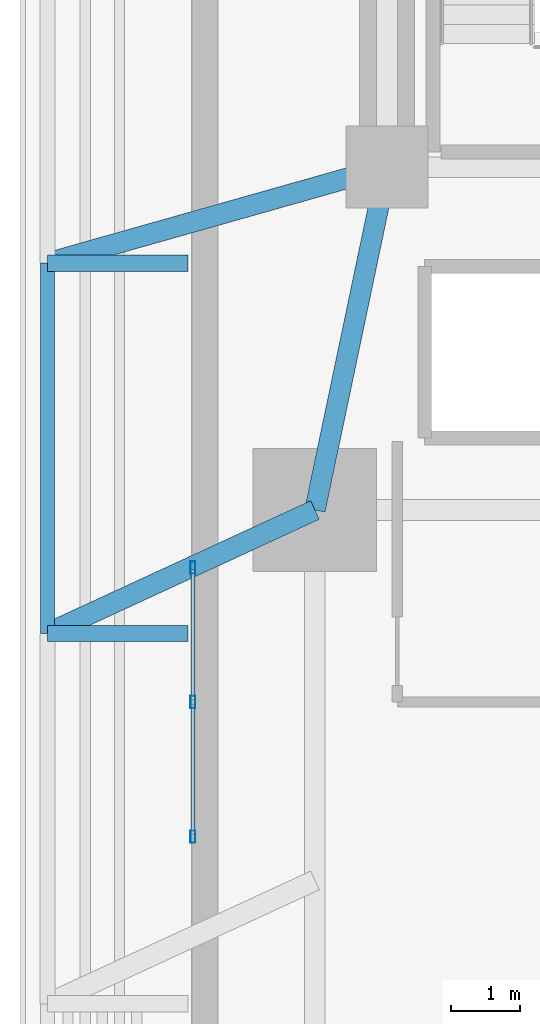
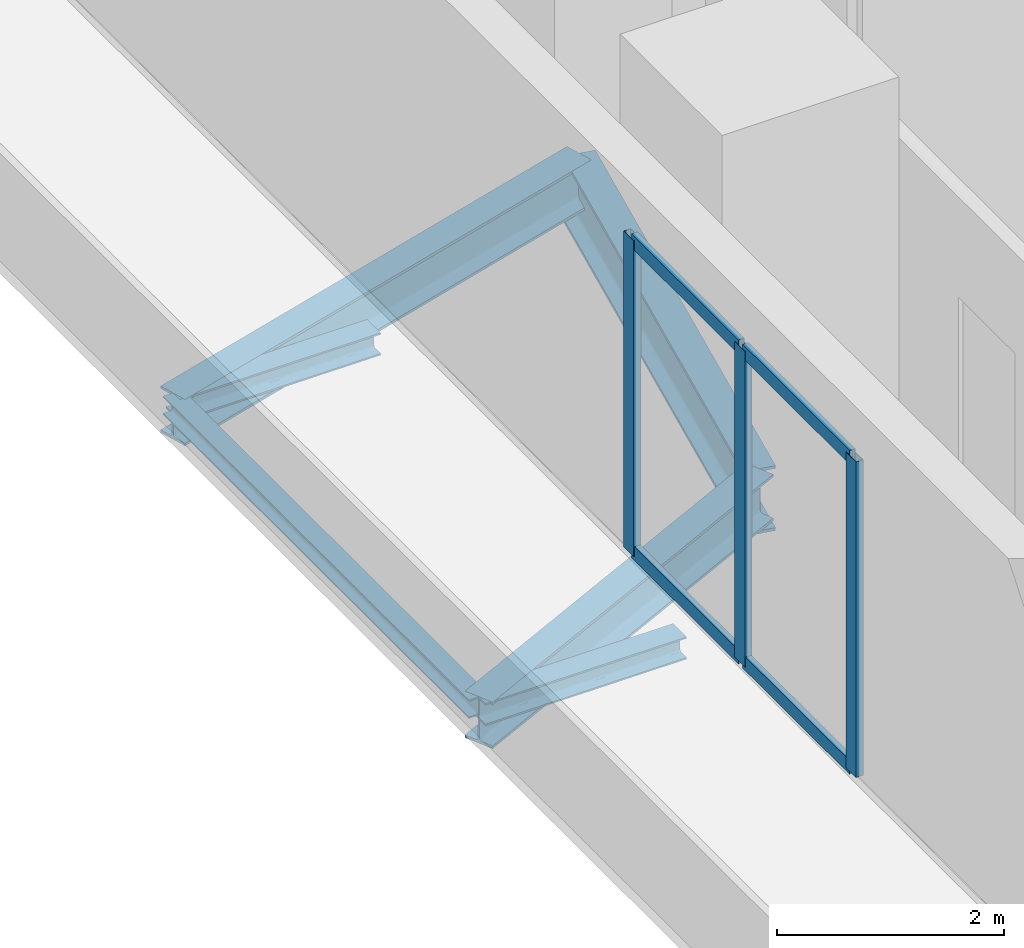
# One storey, part 4 of 13: 7 members, 6 beams, 1 element without a shape of its own.
"""IFC4 building model written with IfcOpenShell, lengths in metres."""

from ifc_helpers import new_model, si_unit, direction, frame, origin, origin_2d, place, context, subcontext, project, spatial, hollow_rectangle, i_section, extrude, material, material_profile, profile_set, type_object, element, aggregate, save


model = new_model("IFC4")

# Units and contexts
model_context = context("Model", 3, precision=1e-05, world=origin(), true_north=direction((0.0, 1.0)))
body_context = subcontext(model_context, "Body", "Model", "MODEL_VIEW")
ifc_project = project(units=[si_unit("LENGTHUNIT", "METRE"), si_unit("AREAUNIT", "SQUARE_METRE"), si_unit("VOLUMEUNIT", "CUBIC_METRE"), si_unit("PLANEANGLEUNIT", "RADIAN"), si_unit("MASSUNIT", "GRAM", prefix="KILO")], contexts=[model_context])

# Site, building, storey
site_placement = place(None, origin())
site = spatial("IfcSite", under=ifc_project, at=site_placement, CompositionType="ELEMENT")
building_placement = place(site_placement, origin())
building = spatial("IfcBuilding", under=site, at=building_placement, Name="Kuzgunbayir Cultural Tower", CompositionType="ELEMENT")
storey_placement = place(building_placement, frame((0.0, 0.0, 4.60009765625)))
storey = spatial("IfcBuildingStorey", under=building, at=storey_placement, Name="L01", CompositionType="ELEMENT", Elevation=4.60009765625)

# Beams
ifc_material_1 = material(Name="Steel S355J2", Category="steel")
ifc_material_profile_1 = material_profile(ifc_material_1, i_section(OverallWidth=0.199951171875, OverallDepth=0.199951171875, WebThickness=0.009033203125, FlangeThickness=0.014892578125, FilletRadius=0.01806640625, at=origin_2d()), Name="HEB 200")
ifc_profile_set_1 = profile_set([ifc_material_profile_1], Name="Steel S355J2")
beam_type_1 = type_object("IfcBeamType", Name="BM-CAN-HEB200", PredefinedType="BEAM", material=ifc_profile_set_1)
beam_1_placement = place(storey_placement, frame((1.5, 27.0, -0.35009765625), z_axis=(0.0, 1.0, 0.0), x_axis=(-1.0, 0.0, 0.0)))
element("IfcBeam", 1, at=beam_1_placement, inside=storey, type_object=beam_type_1, Name="L01 Entrance Canopy Edge Beam 4", PredefinedType="BEAM", context=body_context, shape_type="SweptSolid", body=[
    extrude(i_section(OverallWidth=0.199951171875, OverallDepth=0.199951171875, WebThickness=0.009033203125, FlangeThickness=0.014892578125, FilletRadius=0.01806640625, at=origin_2d()), origin(), (0.0, 0.0, 1.0), 5.39990234375),
])
ifc_material_profile_2 = material_profile(ifc_material_1, i_section(OverallWidth=0.239990234375, OverallDepth=0.239990234375, WebThickness=0.010009765625, FlangeThickness=0.01708984375, FilletRadius=0.02099609375, at=origin_2d()), Name="HEB 240")
ifc_profile_set_2 = profile_set([ifc_material_profile_2], Name="Steel S355J2")
beam_type_2 = type_object("IfcBeamType", Name="BM-CAN-HEB240", PredefinedType="BEAM", material=ifc_profile_set_2)
for number, where, z_axis, x_axis, name in (
    (2, (1.5, 27.0, -0.3701171875), (1.0, 0.0, 0.0), (0.0, 1.0, 0.0), "L01 Entrance Canopy Cantilever 4"),
    (3, (1.5, 32.39990234375, -0.3701171875), (1.0, 0.0, 0.0), (0.0, 1.0, 0.0), "L01 Entrance Canopy Cantilever 5"),
):
    element("IfcBeam", number, at=place(storey_placement, frame(where, z_axis=z_axis, x_axis=x_axis)), inside=storey, type_object=beam_type_2, Name=name, PredefinedType="BEAM", context=body_context, shape_type="SweptSolid", body=[
        extrude(i_section(OverallWidth=0.239990234375, OverallDepth=0.239990234375, WebThickness=0.010009765625, FlangeThickness=0.01708984375, FilletRadius=0.02099609375, at=origin_2d()), origin(), (0.0, 0.0, 1.0), 2.050048828125),
    ])
ifc_material_profile_3 = material_profile(ifc_material_1, i_section(OverallWidth=0.300048828125, OverallDepth=0.5, WebThickness=0.014404296875, FlangeThickness=0.028076171875, FilletRadius=0.027099609375, at=origin_2d()), Name="HEB 500")
ifc_profile_set_3 = profile_set([ifc_material_profile_3], Name="Steel S355J2")
beam_type_3 = type_object("IfcBeamType", Name="BM-EXT-HEB500", PredefinedType="BEAM", material=ifc_profile_set_3)
beam_2_placement = place(storey_placement, frame((1.5, 27.0, -0.5), z_axis=(0.907951066374, 0.419076199598, 0.0), x_axis=(-0.419076199598, 0.907951066374, 0.0)))
element("IfcBeam", 4, at=beam_2_placement, inside=storey, type_object=beam_type_3, Name="L01 Colonnade Structural Tie North", PredefinedType="BEAM", context=body_context, shape_type="SweptSolid", body=[
    extrude(i_section(OverallWidth=0.300048828125, OverallDepth=0.5, WebThickness=0.014404296875, FlangeThickness=0.028076171875, FilletRadius=0.027099609375, at=origin_2d()), origin(), (0.0, 0.0, 1.0), 4.295166015625),
])
beam_3_placement = place(storey_placement, frame((1.5, 32.39990234375, -0.5), z_axis=(0.962245924197, 0.272181522825, 0.0), x_axis=(-0.272181522825, 0.962245924197, 0.0)))
element("IfcBeam", 5, at=beam_3_placement, inside=storey, type_object=beam_type_3, Name="L01 Colonnade Core Tie South", PredefinedType="BEAM", context=body_context, shape_type="SweptSolid", body=[
    extrude(i_section(OverallWidth=0.300048828125, OverallDepth=0.5, WebThickness=0.014404296875, FlangeThickness=0.028076171875, FilletRadius=0.027099609375, at=origin_2d()), origin(), (0.0, 0.0, 1.0), 5.14404296875),
])
ifc_material_profile_4 = material_profile(ifc_material_1, i_section(OverallWidth=0.300048828125, OverallDepth=0.699951171875, WebThickness=0.01708984375, FlangeThickness=0.031982421875, FilletRadius=0.027099609375, at=origin_2d()), Name="HEB 700")
ifc_profile_set_4 = profile_set([ifc_material_profile_4], Name="Steel S355J2")
beam_type_4 = type_object("IfcBeamType", Name="BM-GIR-HEB700", PredefinedType="BEAM", material=ifc_profile_set_4)
beam_4_placement = place(storey_placement, frame((5.39990234375, 28.800048828125, -0.60009765625), z_axis=(0.205526387753, 0.978651574329, 0.0), x_axis=(-0.978651574329, 0.205526387753, 0.0)))
element("IfcBeam", 6, at=beam_4_placement, inside=storey, type_object=beam_type_4, Name="L01 Podium Primary Girder 7", PredefinedType="BEAM", context=body_context, shape_type="SweptSolid", body=[
    extrude(i_section(OverallWidth=0.300048828125, OverallDepth=0.699951171875, WebThickness=0.01708984375, FlangeThickness=0.031982421875, FilletRadius=0.027099609375, at=origin_2d()), origin(), (0.0, 0.0, 1.0), 5.109130859375),
])

# Curtain wall, members
ifc_material_2 = material(Name="Anodised Aluminium Framing", Category="aluminium")
curtain_wall_type = type_object("IfcCurtainWallType", Name="CW01-POD-FOYER", PredefinedType="NOTDEFINED", material=ifc_material_2)
curtain_wall_placement = place(storey_placement, origin())
curtain_wall = element("IfcCurtainWall", 7, at=curtain_wall_placement, inside=storey, type_object=curtain_wall_type, Name="L01 Civic Foyer Curtain Wall North", PredefinedType="NOTDEFINED")
ifc_material_profile_5 = material_profile(ifc_material_2, hollow_rectangle(XDim=0.074951171875, YDim=0.179931640625, WallThickness=0.0048828125, at=origin_2d()), Name="RHS 180x75x5")
ifc_profile_set_5 = profile_set([ifc_material_profile_5], Name="Anodised Aluminium Framing")
member_type_1 = type_object("IfcMemberType", Name="MEM-CW-MULLION-180", PredefinedType="MULLION", material=ifc_profile_set_5)
member_1_placement = place(storey_placement, frame((3.6201171875, 24.03759765625, 0.0), z_axis=(0.0, 0.0, 1.0), x_axis=(-1.0, 0.0, 0.0)))
member_1 = element("IfcMember", 8, at=member_1_placement, type_object=member_type_1, Name="CW01 mullion 1", PredefinedType="MULLION", context=body_context, shape_type="SweptSolid", body=[
    extrude(hollow_rectangle(XDim=0.074951171875, YDim=0.179931640625, WallThickness=0.0048828125, at=origin_2d()), origin(), (0.0, 0.0, 1.0), 3.39990234375),
])
member_2_placement = place(storey_placement, frame((3.6201171875, 26.0, 0.0), z_axis=(0.0, 0.0, 1.0), x_axis=(-1.0, 0.0, 0.0)))
member_2 = element("IfcMember", 9, at=member_2_placement, type_object=member_type_1, Name="CW01 mullion 2", PredefinedType="MULLION", context=body_context, shape_type="SweptSolid", body=[
    extrude(hollow_rectangle(XDim=0.074951171875, YDim=0.179931640625, WallThickness=0.0048828125, at=origin_2d()), origin(), (0.0, 0.0, 1.0), 3.39990234375),
])
member_3_placement = place(storey_placement, frame((3.6201171875, 27.96240234375, 0.0), z_axis=(0.0, 0.0, 1.0), x_axis=(-1.0, 0.0, 0.0)))
member_3 = element("IfcMember", 10, at=member_3_placement, type_object=member_type_1, Name="CW01 mullion 3", PredefinedType="MULLION", context=body_context, shape_type="SweptSolid", body=[
    extrude(hollow_rectangle(XDim=0.074951171875, YDim=0.179931640625, WallThickness=0.0048828125, at=origin_2d()), origin(), (0.0, 0.0, 1.0), 3.39990234375),
])
ifc_material_profile_6 = material_profile(ifc_material_2, hollow_rectangle(XDim=0.06005859375, YDim=0.14990234375, WallThickness=0.00390625, at=origin_2d()), Name="RHS 150x60x4")
ifc_profile_set_6 = profile_set([ifc_material_profile_6], Name="Anodised Aluminium Framing")
member_type_2 = type_object("IfcMemberType", Name="MEM-CW-TRANSOM-150", PredefinedType="USERDEFINED", material=ifc_profile_set_6)
member_4_placement = place(storey_placement, frame((3.6201171875, 24.074951171875, 0.02978515625), z_axis=(0.0, 1.0, 0.0), x_axis=(-1.0, 0.0, 0.0)))
member_4 = element("IfcMember", 11, at=member_4_placement, type_object=member_type_2, Name="CW01 transom 1.1", ObjectType="TRANSOM", PredefinedType="USERDEFINED", context=body_context, shape_type="SweptSolid", body=[
    extrude(hollow_rectangle(XDim=0.06005859375, YDim=0.14990234375, WallThickness=0.00390625, at=origin_2d()), origin(), (0.0, 0.0, 1.0), 1.887451171875),
])
member_5_placement = place(storey_placement, frame((3.6201171875, 24.074951171875, 3.369873046875), z_axis=(0.0, 1.0, 0.0), x_axis=(-1.0, 0.0, 0.0)))
member_5 = element("IfcMember", 12, at=member_5_placement, type_object=member_type_2, Name="CW01 transom 1.2", ObjectType="TRANSOM", PredefinedType="USERDEFINED", context=body_context, shape_type="SweptSolid", body=[
    extrude(hollow_rectangle(XDim=0.06005859375, YDim=0.14990234375, WallThickness=0.00390625, at=origin_2d()), origin(), (0.0, 0.0, 1.0), 1.887451171875),
])
member_6_placement = place(storey_placement, frame((3.6201171875, 26.03759765625, 0.02978515625), z_axis=(0.0, 1.0, 0.0), x_axis=(-1.0, 0.0, 0.0)))
member_6 = element("IfcMember", 13, at=member_6_placement, type_object=member_type_2, Name="CW01 transom 2.1", ObjectType="TRANSOM", PredefinedType="USERDEFINED", context=body_context, shape_type="SweptSolid", body=[
    extrude(hollow_rectangle(XDim=0.06005859375, YDim=0.14990234375, WallThickness=0.00390625, at=origin_2d()), origin(), (0.0, 0.0, 1.0), 1.887451171875),
])
member_7_placement = place(storey_placement, frame((3.6201171875, 26.03759765625, 3.369873046875), z_axis=(0.0, 1.0, 0.0), x_axis=(-1.0, 0.0, 0.0)))
member_7 = element("IfcMember", 14, at=member_7_placement, type_object=member_type_2, Name="CW01 transom 2.2", ObjectType="TRANSOM", PredefinedType="USERDEFINED", context=body_context, shape_type="SweptSolid", body=[
    extrude(hollow_rectangle(XDim=0.06005859375, YDim=0.14990234375, WallThickness=0.00390625, at=origin_2d()), origin(), (0.0, 0.0, 1.0), 1.887451171875),
])
aggregate(curtain_wall, [member_1, member_2, member_3, member_4, member_5, member_6, member_7])

save(model, "model.ifc")
